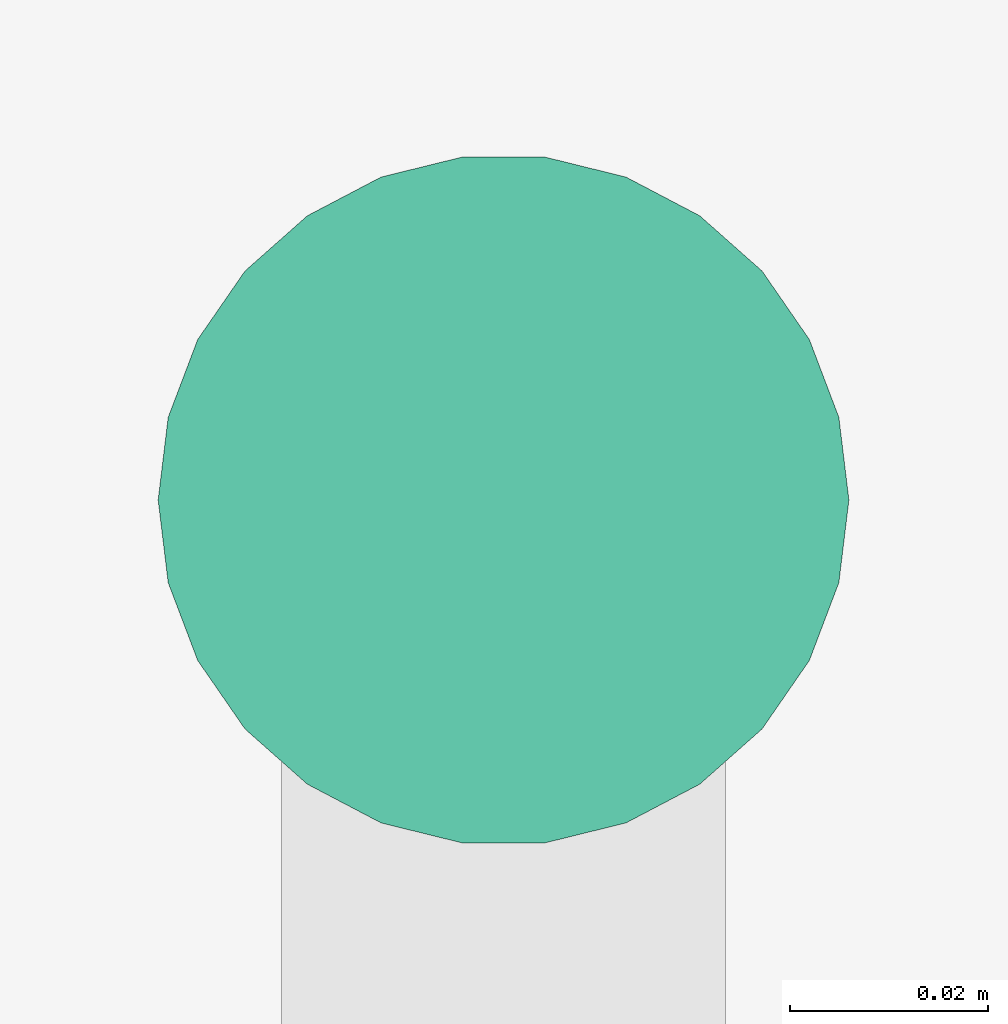
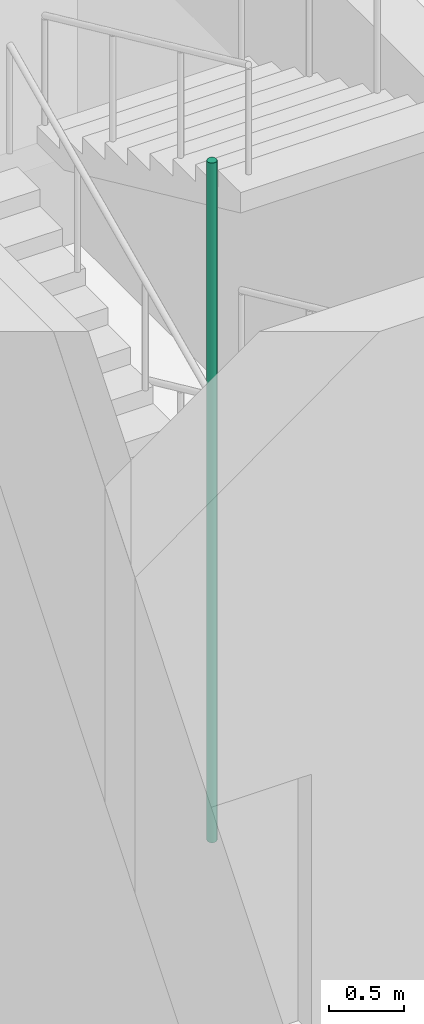
# One storey, part 20 of 33: 1 pipe segment.
"""IFC4 building model written with IfcOpenShell, lengths in metres."""

from ifc_helpers import new_model, si_unit, direction, frame, origin, origin_2d, place, context, subcontext, project, spatial, circle, extrude, element, save


model = new_model("IFC4")

# Units and contexts
model_context = context("Model", 3, precision=1e-05, world=origin(), true_north=direction((0.0, 1.0)))
body_context = subcontext(model_context, "Body", "Model", "MODEL_VIEW")
ifc_project = project(units=[si_unit("LENGTHUNIT", "METRE"), si_unit("AREAUNIT", "SQUARE_METRE"), si_unit("VOLUMEUNIT", "CUBIC_METRE"), si_unit("PLANEANGLEUNIT", "RADIAN"), si_unit("MASSUNIT", "GRAM", prefix="KILO")], contexts=[model_context])

# Site, building, storey
site_placement = place(None, origin())
site = spatial("IfcSite", under=ifc_project, at=site_placement, CompositionType="ELEMENT")
building_placement = place(site_placement, origin())
building = spatial("IfcBuilding", under=site, at=building_placement, Name="Nzadi Deep Aquarium and Research Tower", CompositionType="ELEMENT")
storey_placement = place(building_placement, frame((0.0, 0.0, -5.5)))
storey = spatial("IfcBuildingStorey", under=building, at=storey_placement, Name="B1", CompositionType="ELEMENT", Elevation=-5.5)

# Pipe segment
pipe_segment_placement = place(storey_placement, frame((2.300048828125, 12.320068359375, 0.0), z_axis=(0.0, 0.0, 1.0), x_axis=(1.0, 0.0, 0.0)))
element("IfcPipeSegment", 1, at=pipe_segment_placement, inside=storey, Name="Dry riser ST-Z1-SW B1", PredefinedType="RIGIDSEGMENT", context=body_context, shape_type="SweptSolid", body=[
    extrude(circle(Radius=0.034912109375, at=origin_2d()), origin(), (0.0, 0.0, 1.0), 5.5),
])

save(model, "model.ifc")
